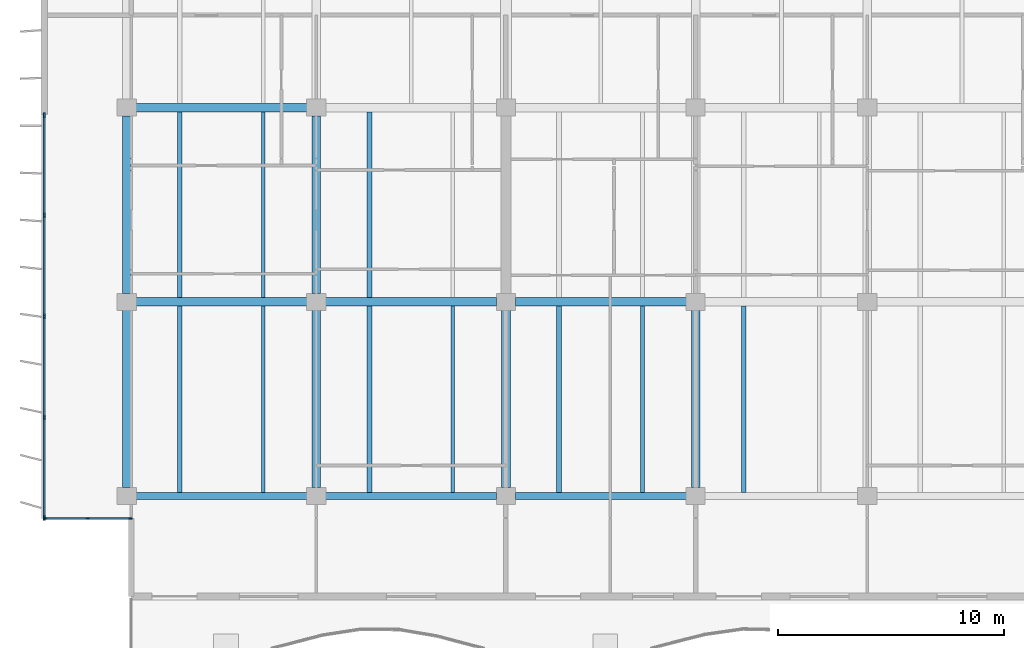
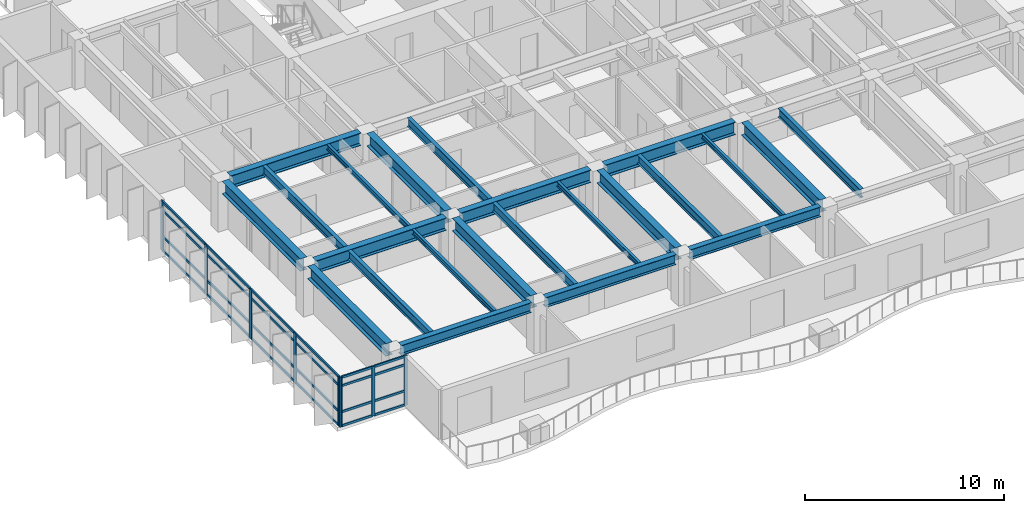
# One storey, part 2 of 19: 32 members, 23 beams, 2 elements without a shape of their own.
"""IFC4 building model written with IfcOpenShell, lengths in metres."""

from ifc_helpers import new_model, si_unit, direction, frame, origin, origin_2d, place, context, subcontext, project, spatial, rectangle, i_section, extrude, material, layer, layer_set, material_profile, profile_set, type_object, element, aggregate, save


model = new_model("IFC4")

# Units and contexts
model_context = context("Model", 3, precision=1e-05, world=origin(), true_north=direction((0.0, 1.0)))
body_context = subcontext(model_context, "Body", "Model", "MODEL_VIEW")
ifc_project = project(units=[si_unit("LENGTHUNIT", "METRE"), si_unit("AREAUNIT", "SQUARE_METRE"), si_unit("VOLUMEUNIT", "CUBIC_METRE"), si_unit("PLANEANGLEUNIT", "RADIAN"), si_unit("MASSUNIT", "GRAM", prefix="KILO")], contexts=[model_context])

# Site, building, storey
site_placement = place(None, origin())
site = spatial("IfcSite", under=ifc_project, at=site_placement, CompositionType="ELEMENT")
building_placement = place(site_placement, origin())
building = spatial("IfcBuilding", under=site, at=building_placement, Name="Caelmar Bay Residences", CompositionType="ELEMENT")
storey_placement = place(building_placement, frame((0.0, 0.0, 195.0)))
storey = spatial("IfcBuildingStorey", under=building, at=storey_placement, Name="L54", CompositionType="ELEMENT", Elevation=195.0)

# Beams
ifc_material_1 = material(Name="Steel ASTM A992 Grade 50", Category="steel")
ifc_material_profile_1 = material_profile(ifc_material_1, i_section(OverallWidth=0.381103515625, OverallDepth=0.77197265625, WebThickness=0.0166015625, FlangeThickness=0.027099609375, FilletRadius=0.0166015625, at=origin_2d()), Name="W30X173")
ifc_profile_set_1 = profile_set([ifc_material_profile_1], Name="Steel ASTM A992 Grade 50")
beam_type_1 = type_object("IfcBeamType", Name="BM-GRD-W30X173", PredefinedType="BEAM", material=ifc_profile_set_1)
beam_1_placement = place(storey_placement, frame((10.31494140625, 20.800048828125, 2.6640625), z_axis=(1.0, 0.0, 0.0), x_axis=(0.0, 1.0, 0.0)))
element("IfcBeam", 1, at=beam_1_placement, inside=storey, type_object=beam_type_1, Name="L54 East-West Girder Y=20.80 (9.9-18.3)", PredefinedType="BEAM", context=body_context, shape_type="SweptSolid", body=[
    extrude(i_section(OverallWidth=0.381103515625, OverallDepth=0.77197265625, WebThickness=0.0166015625, FlangeThickness=0.027099609375, FilletRadius=0.0166015625, at=origin_2d()), origin(), (0.0, 0.0, 1.0), 7.570068359375),
])
beam_2_placement = place(storey_placement, frame((18.715087890625, 20.800048828125, 2.6640625), z_axis=(1.0, 0.0, 0.0), x_axis=(0.0, 1.0, 0.0)))
element("IfcBeam", 2, at=beam_2_placement, inside=storey, type_object=beam_type_1, Name="L54 East-West Girder Y=20.80 (18.3-26.7)", PredefinedType="BEAM", context=body_context, shape_type="SweptSolid", body=[
    extrude(i_section(OverallWidth=0.381103515625, OverallDepth=0.77197265625, WebThickness=0.0166015625, FlangeThickness=0.027099609375, FilletRadius=0.0166015625, at=origin_2d()), origin(), (0.0, 0.0, 1.0), 7.56982421875),
])
for number, where, z_axis, x_axis, name in (
    (3, (27.114990234375, 20.800048828125, 2.6640625), (1.0, 0.0, 0.0), (0.0, 1.0, 0.0), "L54 East-West Girder Y=20.80 (26.7-35.1)"),
    (4, (10.31494140625, 29.39990234375, 2.6640625), (1.0, 0.0, 0.0), (0.0, 1.0, 0.0), "L54 East-West Girder Y=29.40 (9.9-18.3)"),
):
    element("IfcBeam", number, at=place(storey_placement, frame(where, z_axis=z_axis, x_axis=x_axis)), inside=storey, type_object=beam_type_1, Name=name, PredefinedType="BEAM", context=body_context, shape_type="SweptSolid", body=[
        extrude(i_section(OverallWidth=0.381103515625, OverallDepth=0.77197265625, WebThickness=0.0166015625, FlangeThickness=0.027099609375, FilletRadius=0.0166015625, at=origin_2d()), origin(), (0.0, 0.0, 1.0), 7.570068359375),
    ])
beam_3_placement = place(storey_placement, frame((9.89990234375, 12.56494140625, 2.6640625), z_axis=(0.0, 1.0, 0.0), x_axis=(-1.0, 0.0, 0.0)))
element("IfcBeam", 5, at=beam_3_placement, inside=storey, type_object=beam_type_1, Name="L54 North-South Girder X=9.90 (12.2-20.8)", PredefinedType="BEAM", context=body_context, shape_type="SweptSolid", body=[
    extrude(i_section(OverallWidth=0.381103515625, OverallDepth=0.77197265625, WebThickness=0.0166015625, FlangeThickness=0.027099609375, FilletRadius=0.0166015625, at=origin_2d()), origin(), (0.0, 0.0, 1.0), 7.8701171875),
])
beam_4_placement = place(storey_placement, frame((9.89990234375, 21.1650390625, 2.6640625), z_axis=(0.0, 1.0, 0.0), x_axis=(-1.0, 0.0, 0.0)))
element("IfcBeam", 6, at=beam_4_placement, inside=storey, type_object=beam_type_1, Name="L54 North-South Girder X=9.90 (20.8-29.4)", PredefinedType="BEAM", context=body_context, shape_type="SweptSolid", body=[
    extrude(i_section(OverallWidth=0.381103515625, OverallDepth=0.77197265625, WebThickness=0.0166015625, FlangeThickness=0.027099609375, FilletRadius=0.0166015625, at=origin_2d()), origin(), (0.0, 0.0, 1.0), 7.869873046875),
])
beam_5_placement = place(storey_placement, frame((18.300048828125, 12.56494140625, 2.6640625), z_axis=(0.0, 1.0, 0.0), x_axis=(-1.0, 0.0, 0.0)))
element("IfcBeam", 7, at=beam_5_placement, inside=storey, type_object=beam_type_1, Name="L54 North-South Girder X=18.30 (12.2-20.8)", PredefinedType="BEAM", context=body_context, shape_type="SweptSolid", body=[
    extrude(i_section(OverallWidth=0.381103515625, OverallDepth=0.77197265625, WebThickness=0.0166015625, FlangeThickness=0.027099609375, FilletRadius=0.0166015625, at=origin_2d()), origin(), (0.0, 0.0, 1.0), 7.8701171875),
])
beam_6_placement = place(storey_placement, frame((18.300048828125, 21.1650390625, 2.6640625), z_axis=(0.0, 1.0, 0.0), x_axis=(-1.0, 0.0, 0.0)))
element("IfcBeam", 8, at=beam_6_placement, inside=storey, type_object=beam_type_1, Name="L54 North-South Girder X=18.30 (20.8-29.4)", PredefinedType="BEAM", context=body_context, shape_type="SweptSolid", body=[
    extrude(i_section(OverallWidth=0.381103515625, OverallDepth=0.77197265625, WebThickness=0.0166015625, FlangeThickness=0.027099609375, FilletRadius=0.0166015625, at=origin_2d()), origin(), (0.0, 0.0, 1.0), 7.869873046875),
])
for number, where, z_axis, x_axis, name in (
    (9, (26.699951171875, 12.56494140625, 2.6640625), (0.0, 1.0, 0.0), (-1.0, 0.0, 0.0), "L54 North-South Girder X=26.70 (12.2-20.8)"),
    (10, (35.10009765625, 12.56494140625, 2.6640625), (0.0, 1.0, 0.0), (-1.0, 0.0, 0.0), "L54 North-South Girder X=35.10 (12.2-20.8)"),
):
    element("IfcBeam", number, at=place(storey_placement, frame(where, z_axis=z_axis, x_axis=x_axis)), inside=storey, type_object=beam_type_1, Name=name, PredefinedType="BEAM", context=body_context, shape_type="SweptSolid", body=[
        extrude(i_section(OverallWidth=0.381103515625, OverallDepth=0.77197265625, WebThickness=0.0166015625, FlangeThickness=0.027099609375, FilletRadius=0.0166015625, at=origin_2d()), origin(), (0.0, 0.0, 1.0), 7.8701171875),
    ])
ifc_material_profile_2 = material_profile(ifc_material_1, i_section(OverallWidth=0.1650390625, OverallDepth=0.31005859375, WebThickness=0.005859375, FlangeThickness=0.009765625, FilletRadius=0.007568359375, at=origin_2d()), Name="W12X26")
ifc_profile_set_2 = profile_set([ifc_material_profile_2], Name="Steel ASTM A992 Grade 50")
beam_type_2 = type_object("IfcBeamType", Name="BM-JST-W12X26", PredefinedType="JOIST", material=ifc_profile_set_2)
for number, where, z_axis, x_axis, name in (
    (11, (15.947998046875, 12.362548828125, 2.89501953125), (0.0, 1.0, 0.0), (-1.0, 0.0, 0.0), "L54 Composite Floor Joist 2"),
    (12, (24.347900390625, 12.362548828125, 2.89501953125), (0.0, 1.0, 0.0), (-1.0, 0.0, 0.0), "L54 Composite Floor Joist 4"),
    (13, (32.748046875, 12.362548828125, 2.89501953125), (0.0, 1.0, 0.0), (-1.0, 0.0, 0.0), "L54 Composite Floor Joist 6"),
):
    element("IfcBeam", number, at=place(storey_placement, frame(where, z_axis=z_axis, x_axis=x_axis)), inside=storey, type_object=beam_type_2, Name=name, PredefinedType="JOIST", context=body_context, shape_type="SweptSolid", body=[
        extrude(i_section(OverallWidth=0.1650390625, OverallDepth=0.31005859375, WebThickness=0.005859375, FlangeThickness=0.009765625, FilletRadius=0.007568359375, at=origin_2d()), origin(), (0.0, 0.0, 1.0), 8.2470703125),
    ])
beam_7_placement = place(storey_placement, frame((15.947998046875, 20.990478515625, 2.89501953125), z_axis=(0.0, 1.0, 0.0), x_axis=(-1.0, 0.0, 0.0)))
element("IfcBeam", 14, at=beam_7_placement, inside=storey, type_object=beam_type_2, Name="L54 Composite Floor Joist 16", PredefinedType="JOIST", context=body_context, shape_type="SweptSolid", body=[
    extrude(i_section(OverallWidth=0.1650390625, OverallDepth=0.31005859375, WebThickness=0.005859375, FlangeThickness=0.009765625, FilletRadius=0.007568359375, at=origin_2d()), origin(), (0.0, 0.0, 1.0), 8.218994140625),
])
ifc_material_profile_3 = material_profile(ifc_material_1, i_section(OverallWidth=0.2099609375, OverallDepth=0.535888671875, WebThickness=0.010986328125, FlangeThickness=0.017333984375, FilletRadius=0.0126953125, at=origin_2d()), Name="W21X68")
ifc_profile_set_3 = profile_set([ifc_material_profile_3], Name="Steel ASTM A992 Grade 50")
beam_type_3 = type_object("IfcBeamType", Name="BM-JST-W21X68", PredefinedType="JOIST", material=ifc_profile_set_3)
for number, where, z_axis, x_axis, name in (
    (15, (12.251953125, 12.362548828125, 2.781982421875), (0.0, 1.0, 0.0), (-1.0, 0.0, 0.0), "L54 Composite Floor Joist 1"),
    (16, (20.652099609375, 12.362548828125, 2.781982421875), (0.0, 1.0, 0.0), (-1.0, 0.0, 0.0), "L54 Composite Floor Joist 3"),
    (17, (29.052001953125, 12.362548828125, 2.781982421875), (0.0, 1.0, 0.0), (-1.0, 0.0, 0.0), "L54 Composite Floor Joist 5"),
    (18, (37.22802734375, 12.362548828125, 2.781982421875), (0.0, 1.0, 0.0), (-1.0, 0.0, 0.0), "L54 Composite Floor Joist 7"),
):
    element("IfcBeam", number, at=place(storey_placement, frame(where, z_axis=z_axis, x_axis=x_axis)), inside=storey, type_object=beam_type_3, Name=name, PredefinedType="JOIST", context=body_context, shape_type="SweptSolid", body=[
        extrude(i_section(OverallWidth=0.2099609375, OverallDepth=0.535888671875, WebThickness=0.010986328125, FlangeThickness=0.017333984375, FilletRadius=0.0126953125, at=origin_2d()), origin(), (0.0, 0.0, 1.0), 8.2470703125),
    ])
for number, where, z_axis, x_axis, name in (
    (19, (12.251953125, 20.990478515625, 2.781982421875), (0.0, 1.0, 0.0), (-1.0, 0.0, 0.0), "L54 Composite Floor Joist 15"),
    (20, (20.652099609375, 20.990478515625, 2.781982421875), (0.0, 1.0, 0.0), (-1.0, 0.0, 0.0), "L54 Composite Floor Joist 17"),
):
    element("IfcBeam", number, at=place(storey_placement, frame(where, z_axis=z_axis, x_axis=x_axis)), inside=storey, type_object=beam_type_3, Name=name, PredefinedType="JOIST", context=body_context, shape_type="SweptSolid", body=[
        extrude(i_section(OverallWidth=0.2099609375, OverallDepth=0.535888671875, WebThickness=0.010986328125, FlangeThickness=0.017333984375, FilletRadius=0.0126953125, at=origin_2d()), origin(), (0.0, 0.0, 1.0), 8.218994140625),
    ])
ifc_material_profile_4 = material_profile(ifc_material_1, i_section(OverallWidth=0.324951171875, OverallDepth=0.616943359375, WebThickness=0.013916015625, FlangeThickness=0.021484375, FilletRadius=0.0126953125, at=origin_2d()), Name="W24X117")
ifc_profile_set_4 = profile_set([ifc_material_profile_4], Name="Steel ASTM A992 Grade 50")
beam_type_4 = type_object("IfcBeamType", Name="BM-SPN-W24X117", PredefinedType="SPANDREL", material=ifc_profile_set_4)
beam_8_placement = place(storey_placement, frame((10.31494140625, 12.199951171875, 2.741455078125), z_axis=(1.0, 0.0, 0.0), x_axis=(0.0, 1.0, 0.0)))
element("IfcBeam", 21, at=beam_8_placement, inside=storey, type_object=beam_type_4, Name="L54 East-West Girder Y=12.20 (9.9-18.3)", PredefinedType="SPANDREL", context=body_context, shape_type="SweptSolid", body=[
    extrude(i_section(OverallWidth=0.324951171875, OverallDepth=0.616943359375, WebThickness=0.013916015625, FlangeThickness=0.021484375, FilletRadius=0.0126953125, at=origin_2d()), origin(), (0.0, 0.0, 1.0), 7.570068359375),
])
beam_9_placement = place(storey_placement, frame((18.715087890625, 12.199951171875, 2.741455078125), z_axis=(1.0, 0.0, 0.0), x_axis=(0.0, 1.0, 0.0)))
element("IfcBeam", 22, at=beam_9_placement, inside=storey, type_object=beam_type_4, Name="L54 East-West Girder Y=12.20 (18.3-26.7)", PredefinedType="SPANDREL", context=body_context, shape_type="SweptSolid", body=[
    extrude(i_section(OverallWidth=0.324951171875, OverallDepth=0.616943359375, WebThickness=0.013916015625, FlangeThickness=0.021484375, FilletRadius=0.0126953125, at=origin_2d()), origin(), (0.0, 0.0, 1.0), 7.56982421875),
])
beam_10_placement = place(storey_placement, frame((27.114990234375, 12.199951171875, 2.741455078125), z_axis=(1.0, 0.0, 0.0), x_axis=(0.0, 1.0, 0.0)))
element("IfcBeam", 23, at=beam_10_placement, inside=storey, type_object=beam_type_4, Name="L54 East-West Girder Y=12.20 (26.7-35.1)", PredefinedType="SPANDREL", context=body_context, shape_type="SweptSolid", body=[
    extrude(i_section(OverallWidth=0.324951171875, OverallDepth=0.616943359375, WebThickness=0.013916015625, FlangeThickness=0.021484375, FilletRadius=0.0126953125, at=origin_2d()), origin(), (0.0, 0.0, 1.0), 7.570068359375),
])

# Curtain wall, members
ifc_material_2 = material(Name="Anodised bronze aluminium 6063-T6 and laminated glass", Category="aluminium")
ifc_layer_1 = layer(ifc_material_2, 0.179931640625)
ifc_layer_set_1 = layer_set([ifc_layer_1], Name="Anodised bronze aluminium 6063-T6 and laminated glass")
curtain_wall_type_1 = type_object("IfcCurtainWallType", Name="CW6-NTC", PredefinedType="NOTDEFINED", material=ifc_layer_set_1)
curtain_wall_1_placement = place(storey_placement, origin())
curtain_wall_1 = element("IfcCurtainWall", 24, at=curtain_wall_1_placement, inside=storey, type_object=curtain_wall_type_1, Name="CW6 curtain wall L54", PredefinedType="NOTDEFINED")
ifc_material_3 = material(Name="Anodised bronze aluminium 6063-T6", Category="aluminium")
ifc_material_profile_5 = material_profile(ifc_material_3, rectangle(XDim=0.080078125, YDim=0.179931640625, at=origin_2d()), Name="CWM-80X180")
ifc_profile_set_5 = profile_set([ifc_material_profile_5], Name="Anodised bronze aluminium 6063-T6")
member_type_1 = type_object("IfcMemberType", Name="CWM-180", PredefinedType="MULLION", material=ifc_profile_set_5)
member_1_placement = place(storey_placement, frame((6.2900390625, 11.199951171875, 0.0), z_axis=(0.0, 0.0, 1.0), x_axis=(0.0, 1.0, 0.0)))
member_1 = element("IfcMember", 25, at=member_1_placement, type_object=member_type_1, Name="CW6 mullion 1", PredefinedType="MULLION", context=body_context, shape_type="SweptSolid", body=[
    extrude(rectangle(XDim=0.080078125, YDim=0.179931640625, at=origin_2d()), origin(), (0.0, 0.0, 1.0), 3.050048828125),
])
member_2_placement = place(storey_placement, frame((8.175048828125, 11.199951171875, 0.0), z_axis=(0.0, 0.0, 1.0), x_axis=(0.0, 1.0, 0.0)))
member_2 = element("IfcMember", 26, at=member_2_placement, type_object=member_type_1, Name="CW6 mullion 2", PredefinedType="MULLION", context=body_context, shape_type="SweptSolid", body=[
    extrude(rectangle(XDim=0.080078125, YDim=0.179931640625, at=origin_2d()), origin(), (0.0, 0.0, 1.0), 3.050048828125),
])
member_3_placement = place(storey_placement, frame((10.06005859375, 11.199951171875, 0.0), z_axis=(0.0, 0.0, 1.0), x_axis=(0.0, 1.0, 0.0)))
member_3 = element("IfcMember", 27, at=member_3_placement, type_object=member_type_1, Name="CW6 mullion 3", PredefinedType="MULLION", context=body_context, shape_type="SweptSolid", body=[
    extrude(rectangle(XDim=0.080078125, YDim=0.179931640625, at=origin_2d()), origin(), (0.0, 0.0, 1.0), 3.050048828125),
])

ifc_layer_2 = layer(ifc_material_2, 0.179931640625)
ifc_layer_set_2 = layer_set([ifc_layer_2], Name="Anodised bronze aluminium 6063-T6 and laminated glass")
curtain_wall_type_2 = type_object("IfcCurtainWallType", Name="CW4-Z3", PredefinedType="NOTDEFINED", material=ifc_layer_set_2)
curtain_wall_2_placement = place(storey_placement, origin())
curtain_wall_2 = element("IfcCurtainWall", 28, at=curtain_wall_2_placement, inside=storey, type_object=curtain_wall_type_2, Name="CW4 curtain wall L54", PredefinedType="NOTDEFINED")
ifc_material_profile_6 = material_profile(ifc_material_3, rectangle(XDim=0.080078125, YDim=0.219970703125, at=origin_2d()), Name="CWM-80X220")
ifc_profile_set_6 = profile_set([ifc_material_profile_6], Name="Anodised bronze aluminium 6063-T6")
member_type_2 = type_object("IfcMemberType", Name="CWM-220", PredefinedType="MULLION", material=ifc_profile_set_6)
member_4_placement = place(storey_placement, frame((6.25, 11.239990234375, 0.0), z_axis=(0.0, 0.0, 1.0), x_axis=(-1.0, 0.0, 0.0)))
member_4 = element("IfcMember", 29, at=member_4_placement, type_object=member_type_2, Name="CW4 mullion 1", PredefinedType="MULLION", context=body_context, shape_type="SweptSolid", body=[
    extrude(rectangle(XDim=0.080078125, YDim=0.219970703125, at=origin_2d()), origin(), (0.0, 0.0, 1.0), 3.050048828125),
])
member_5_placement = place(storey_placement, frame((6.25, 15.675048828125, 0.0), z_axis=(0.0, 0.0, 1.0), x_axis=(-1.0, 0.0, 0.0)))
member_5 = element("IfcMember", 30, at=member_5_placement, type_object=member_type_2, Name="CW4 mullion 2", PredefinedType="MULLION", context=body_context, shape_type="SweptSolid", body=[
    extrude(rectangle(XDim=0.080078125, YDim=0.219970703125, at=origin_2d()), origin(), (0.0, 0.0, 1.0), 3.050048828125),
])
member_6_placement = place(storey_placement, frame((6.25, 20.14990234375, 0.0), z_axis=(0.0, 0.0, 1.0), x_axis=(-1.0, 0.0, 0.0)))
member_6 = element("IfcMember", 31, at=member_6_placement, type_object=member_type_2, Name="CW4 mullion 3", PredefinedType="MULLION", context=body_context, shape_type="SweptSolid", body=[
    extrude(rectangle(XDim=0.080078125, YDim=0.219970703125, at=origin_2d()), origin(), (0.0, 0.0, 1.0), 3.050048828125),
])
member_7_placement = place(storey_placement, frame((6.25, 24.625, 0.0), z_axis=(0.0, 0.0, 1.0), x_axis=(-1.0, 0.0, 0.0)))
member_7 = element("IfcMember", 32, at=member_7_placement, type_object=member_type_2, Name="CW4 mullion 4", PredefinedType="MULLION", context=body_context, shape_type="SweptSolid", body=[
    extrude(rectangle(XDim=0.080078125, YDim=0.219970703125, at=origin_2d()), origin(), (0.0, 0.0, 1.0), 3.050048828125),
])
member_8_placement = place(storey_placement, frame((6.25, 29.06005859375, 0.0), z_axis=(0.0, 0.0, 1.0), x_axis=(-1.0, 0.0, 0.0)))
member_8 = element("IfcMember", 33, at=member_8_placement, type_object=member_type_2, Name="CW4 mullion 5", PredefinedType="MULLION", context=body_context, shape_type="SweptSolid", body=[
    extrude(rectangle(XDim=0.080078125, YDim=0.219970703125, at=origin_2d()), origin(), (0.0, 0.0, 1.0), 3.050048828125),
])

# Member
ifc_material_profile_7 = material_profile(ifc_material_3, rectangle(XDim=0.080078125, YDim=0.139892578125, at=origin_2d()), Name="CWT-80X140")
ifc_profile_set_7 = profile_set([ifc_material_profile_7], Name="Anodised bronze aluminium 6063-T6")
member_type_3 = type_object("IfcMemberType", Name="CWT-140", PredefinedType="NOTDEFINED", material=ifc_profile_set_7)
member_9_placement = place(storey_placement, frame((6.330078125, 11.199951171875, 0.0400390625), z_axis=(1.0, 0.0, 0.0), x_axis=(0.0, 1.0, 0.0)))
member_9 = element("IfcMember", 34, at=member_9_placement, type_object=member_type_3, Name="CW6 transom 1.1", ObjectType="TRANSOM", PredefinedType="USERDEFINED", context=body_context, shape_type="SweptSolid", body=[
    extrude(rectangle(XDim=0.080078125, YDim=0.139892578125, at=origin_2d()), origin(), (0.0, 0.0, 1.0), 1.804931640625),
])

member_10_placement = place(storey_placement, frame((6.330078125, 11.199951171875, 0.89990234375), z_axis=(1.0, 0.0, 0.0), x_axis=(0.0, 1.0, 0.0)))
member_10 = element("IfcMember", 35, at=member_10_placement, type_object=member_type_3, Name="CW6 transom 1.2", ObjectType="TRANSOM", PredefinedType="USERDEFINED", context=body_context, shape_type="SweptSolid", body=[
    extrude(rectangle(XDim=0.080078125, YDim=0.139892578125, at=origin_2d()), origin(), (0.0, 0.0, 1.0), 1.804931640625),
])

member_11_placement = place(storey_placement, frame((6.330078125, 11.199951171875, 2.5), z_axis=(1.0, 0.0, 0.0), x_axis=(0.0, 1.0, 0.0)))
member_11 = element("IfcMember", 36, at=member_11_placement, type_object=member_type_3, Name="CW6 transom 1.3", ObjectType="TRANSOM", PredefinedType="USERDEFINED", context=body_context, shape_type="SweptSolid", body=[
    extrude(rectangle(XDim=0.080078125, YDim=0.139892578125, at=origin_2d()), origin(), (0.0, 0.0, 1.0), 1.804931640625),
])

member_12_placement = place(storey_placement, frame((6.330078125, 11.199951171875, 3.010009765625), z_axis=(1.0, 0.0, 0.0), x_axis=(0.0, 1.0, 0.0)))
member_12 = element("IfcMember", 37, at=member_12_placement, type_object=member_type_3, Name="CW6 transom 1.4", ObjectType="TRANSOM", PredefinedType="USERDEFINED", context=body_context, shape_type="SweptSolid", body=[
    extrude(rectangle(XDim=0.080078125, YDim=0.139892578125, at=origin_2d()), origin(), (0.0, 0.0, 1.0), 1.804931640625),
])

member_13_placement = place(storey_placement, frame((8.215087890625, 11.199951171875, 0.0400390625), z_axis=(1.0, 0.0, 0.0), x_axis=(0.0, 1.0, 0.0)))
member_13 = element("IfcMember", 38, at=member_13_placement, type_object=member_type_3, Name="CW6 transom 2.1", ObjectType="TRANSOM", PredefinedType="USERDEFINED", context=body_context, shape_type="SweptSolid", body=[
    extrude(rectangle(XDim=0.080078125, YDim=0.139892578125, at=origin_2d()), origin(), (0.0, 0.0, 1.0), 1.804931640625),
])

member_14_placement = place(storey_placement, frame((8.215087890625, 11.199951171875, 0.89990234375), z_axis=(1.0, 0.0, 0.0), x_axis=(0.0, 1.0, 0.0)))
member_14 = element("IfcMember", 39, at=member_14_placement, type_object=member_type_3, Name="CW6 transom 2.2", ObjectType="TRANSOM", PredefinedType="USERDEFINED", context=body_context, shape_type="SweptSolid", body=[
    extrude(rectangle(XDim=0.080078125, YDim=0.139892578125, at=origin_2d()), origin(), (0.0, 0.0, 1.0), 1.804931640625),
])

member_15_placement = place(storey_placement, frame((8.215087890625, 11.199951171875, 2.5), z_axis=(1.0, 0.0, 0.0), x_axis=(0.0, 1.0, 0.0)))
member_15 = element("IfcMember", 40, at=member_15_placement, type_object=member_type_3, Name="CW6 transom 2.3", ObjectType="TRANSOM", PredefinedType="USERDEFINED", context=body_context, shape_type="SweptSolid", body=[
    extrude(rectangle(XDim=0.080078125, YDim=0.139892578125, at=origin_2d()), origin(), (0.0, 0.0, 1.0), 1.804931640625),
])

member_16_placement = place(storey_placement, frame((8.215087890625, 11.199951171875, 3.010009765625), z_axis=(1.0, 0.0, 0.0), x_axis=(0.0, 1.0, 0.0)))
member_16 = element("IfcMember", 41, at=member_16_placement, type_object=member_type_3, Name="CW6 transom 2.4", ObjectType="TRANSOM", PredefinedType="USERDEFINED", context=body_context, shape_type="SweptSolid", body=[
    extrude(rectangle(XDim=0.080078125, YDim=0.139892578125, at=origin_2d()), origin(), (0.0, 0.0, 1.0), 1.804931640625),
])

aggregate(curtain_wall_1, [member_1, member_2, member_3, member_9, member_10, member_11, member_12, member_13, member_14, member_15, member_16])

member_17_placement = place(storey_placement, frame((6.25, 11.280029296875, 0.0400390625), z_axis=(0.0, 1.0, 0.0), x_axis=(-1.0, 0.0, 0.0)))
member_17 = element("IfcMember", 42, at=member_17_placement, type_object=member_type_3, Name="CW4 transom 1.1", ObjectType="TRANSOM", PredefinedType="USERDEFINED", context=body_context, shape_type="SweptSolid", body=[
    extrude(rectangle(XDim=0.080078125, YDim=0.139892578125, at=origin_2d()), origin(), (0.0, 0.0, 1.0), 4.35498046875),
])

member_18_placement = place(storey_placement, frame((6.25, 11.280029296875, 0.89990234375), z_axis=(0.0, 1.0, 0.0), x_axis=(-1.0, 0.0, 0.0)))
member_18 = element("IfcMember", 43, at=member_18_placement, type_object=member_type_3, Name="CW4 transom 1.2", ObjectType="TRANSOM", PredefinedType="USERDEFINED", context=body_context, shape_type="SweptSolid", body=[
    extrude(rectangle(XDim=0.080078125, YDim=0.139892578125, at=origin_2d()), origin(), (0.0, 0.0, 1.0), 4.35498046875),
])

member_19_placement = place(storey_placement, frame((6.25, 11.280029296875, 2.5), z_axis=(0.0, 1.0, 0.0), x_axis=(-1.0, 0.0, 0.0)))
member_19 = element("IfcMember", 44, at=member_19_placement, type_object=member_type_3, Name="CW4 transom 1.3", ObjectType="TRANSOM", PredefinedType="USERDEFINED", context=body_context, shape_type="SweptSolid", body=[
    extrude(rectangle(XDim=0.080078125, YDim=0.139892578125, at=origin_2d()), origin(), (0.0, 0.0, 1.0), 4.35498046875),
])

member_20_placement = place(storey_placement, frame((6.25, 11.280029296875, 3.010009765625), z_axis=(0.0, 1.0, 0.0), x_axis=(-1.0, 0.0, 0.0)))
member_20 = element("IfcMember", 45, at=member_20_placement, type_object=member_type_3, Name="CW4 transom 1.4", ObjectType="TRANSOM", PredefinedType="USERDEFINED", context=body_context, shape_type="SweptSolid", body=[
    extrude(rectangle(XDim=0.080078125, YDim=0.139892578125, at=origin_2d()), origin(), (0.0, 0.0, 1.0), 4.35498046875),
])

member_21_placement = place(storey_placement, frame((6.25, 15.715087890625, 0.0400390625), z_axis=(0.0, 1.0, 0.0), x_axis=(-1.0, 0.0, 0.0)))
member_21 = element("IfcMember", 46, at=member_21_placement, type_object=member_type_3, Name="CW4 transom 2.1", ObjectType="TRANSOM", PredefinedType="USERDEFINED", context=body_context, shape_type="SweptSolid", body=[
    extrude(rectangle(XDim=0.080078125, YDim=0.139892578125, at=origin_2d()), origin(), (0.0, 0.0, 1.0), 4.39501953125),
])

member_22_placement = place(storey_placement, frame((6.25, 15.715087890625, 0.89990234375), z_axis=(0.0, 1.0, 0.0), x_axis=(-1.0, 0.0, 0.0)))
member_22 = element("IfcMember", 47, at=member_22_placement, type_object=member_type_3, Name="CW4 transom 2.2", ObjectType="TRANSOM", PredefinedType="USERDEFINED", context=body_context, shape_type="SweptSolid", body=[
    extrude(rectangle(XDim=0.080078125, YDim=0.139892578125, at=origin_2d()), origin(), (0.0, 0.0, 1.0), 4.39501953125),
])

member_23_placement = place(storey_placement, frame((6.25, 15.715087890625, 2.5), z_axis=(0.0, 1.0, 0.0), x_axis=(-1.0, 0.0, 0.0)))
member_23 = element("IfcMember", 48, at=member_23_placement, type_object=member_type_3, Name="CW4 transom 2.3", ObjectType="TRANSOM", PredefinedType="USERDEFINED", context=body_context, shape_type="SweptSolid", body=[
    extrude(rectangle(XDim=0.080078125, YDim=0.139892578125, at=origin_2d()), origin(), (0.0, 0.0, 1.0), 4.39501953125),
])

member_24_placement = place(storey_placement, frame((6.25, 15.715087890625, 3.010009765625), z_axis=(0.0, 1.0, 0.0), x_axis=(-1.0, 0.0, 0.0)))
member_24 = element("IfcMember", 49, at=member_24_placement, type_object=member_type_3, Name="CW4 transom 2.4", ObjectType="TRANSOM", PredefinedType="USERDEFINED", context=body_context, shape_type="SweptSolid", body=[
    extrude(rectangle(XDim=0.080078125, YDim=0.139892578125, at=origin_2d()), origin(), (0.0, 0.0, 1.0), 4.39501953125),
])

member_25_placement = place(storey_placement, frame((6.25, 20.18994140625, 0.0400390625), z_axis=(0.0, 1.0, 0.0), x_axis=(-1.0, 0.0, 0.0)))
member_25 = element("IfcMember", 50, at=member_25_placement, type_object=member_type_3, Name="CW4 transom 3.1", ObjectType="TRANSOM", PredefinedType="USERDEFINED", context=body_context, shape_type="SweptSolid", body=[
    extrude(rectangle(XDim=0.080078125, YDim=0.139892578125, at=origin_2d()), origin(), (0.0, 0.0, 1.0), 4.39501953125),
])

member_26_placement = place(storey_placement, frame((6.25, 20.18994140625, 0.89990234375), z_axis=(0.0, 1.0, 0.0), x_axis=(-1.0, 0.0, 0.0)))
member_26 = element("IfcMember", 51, at=member_26_placement, type_object=member_type_3, Name="CW4 transom 3.2", ObjectType="TRANSOM", PredefinedType="USERDEFINED", context=body_context, shape_type="SweptSolid", body=[
    extrude(rectangle(XDim=0.080078125, YDim=0.139892578125, at=origin_2d()), origin(), (0.0, 0.0, 1.0), 4.39501953125),
])

member_27_placement = place(storey_placement, frame((6.25, 20.18994140625, 2.5), z_axis=(0.0, 1.0, 0.0), x_axis=(-1.0, 0.0, 0.0)))
member_27 = element("IfcMember", 52, at=member_27_placement, type_object=member_type_3, Name="CW4 transom 3.3", ObjectType="TRANSOM", PredefinedType="USERDEFINED", context=body_context, shape_type="SweptSolid", body=[
    extrude(rectangle(XDim=0.080078125, YDim=0.139892578125, at=origin_2d()), origin(), (0.0, 0.0, 1.0), 4.39501953125),
])

member_28_placement = place(storey_placement, frame((6.25, 20.18994140625, 3.010009765625), z_axis=(0.0, 1.0, 0.0), x_axis=(-1.0, 0.0, 0.0)))
member_28 = element("IfcMember", 53, at=member_28_placement, type_object=member_type_3, Name="CW4 transom 3.4", ObjectType="TRANSOM", PredefinedType="USERDEFINED", context=body_context, shape_type="SweptSolid", body=[
    extrude(rectangle(XDim=0.080078125, YDim=0.139892578125, at=origin_2d()), origin(), (0.0, 0.0, 1.0), 4.39501953125),
])

member_29_placement = place(storey_placement, frame((6.25, 24.6650390625, 0.0400390625), z_axis=(0.0, 1.0, 0.0), x_axis=(-1.0, 0.0, 0.0)))
member_29 = element("IfcMember", 54, at=member_29_placement, type_object=member_type_3, Name="CW4 transom 4.1", ObjectType="TRANSOM", PredefinedType="USERDEFINED", context=body_context, shape_type="SweptSolid", body=[
    extrude(rectangle(XDim=0.080078125, YDim=0.139892578125, at=origin_2d()), origin(), (0.0, 0.0, 1.0), 4.35498046875),
])

member_30_placement = place(storey_placement, frame((6.25, 24.6650390625, 0.89990234375), z_axis=(0.0, 1.0, 0.0), x_axis=(-1.0, 0.0, 0.0)))
member_30 = element("IfcMember", 55, at=member_30_placement, type_object=member_type_3, Name="CW4 transom 4.2", ObjectType="TRANSOM", PredefinedType="USERDEFINED", context=body_context, shape_type="SweptSolid", body=[
    extrude(rectangle(XDim=0.080078125, YDim=0.139892578125, at=origin_2d()), origin(), (0.0, 0.0, 1.0), 4.35498046875),
])

member_31_placement = place(storey_placement, frame((6.25, 24.6650390625, 2.5), z_axis=(0.0, 1.0, 0.0), x_axis=(-1.0, 0.0, 0.0)))
member_31 = element("IfcMember", 56, at=member_31_placement, type_object=member_type_3, Name="CW4 transom 4.3", ObjectType="TRANSOM", PredefinedType="USERDEFINED", context=body_context, shape_type="SweptSolid", body=[
    extrude(rectangle(XDim=0.080078125, YDim=0.139892578125, at=origin_2d()), origin(), (0.0, 0.0, 1.0), 4.35498046875),
])

member_32_placement = place(storey_placement, frame((6.25, 24.6650390625, 3.010009765625), z_axis=(0.0, 1.0, 0.0), x_axis=(-1.0, 0.0, 0.0)))
member_32 = element("IfcMember", 57, at=member_32_placement, type_object=member_type_3, Name="CW4 transom 4.4", ObjectType="TRANSOM", PredefinedType="USERDEFINED", context=body_context, shape_type="SweptSolid", body=[
    extrude(rectangle(XDim=0.080078125, YDim=0.139892578125, at=origin_2d()), origin(), (0.0, 0.0, 1.0), 4.35498046875),
])

aggregate(curtain_wall_2, [member_4, member_5, member_6, member_7, member_8, member_17, member_18, member_19, member_20, member_21, member_22, member_23, member_24, member_25, member_26, member_27, member_28, member_29, member_30, member_31, member_32])

save(model, "model.ifc")
